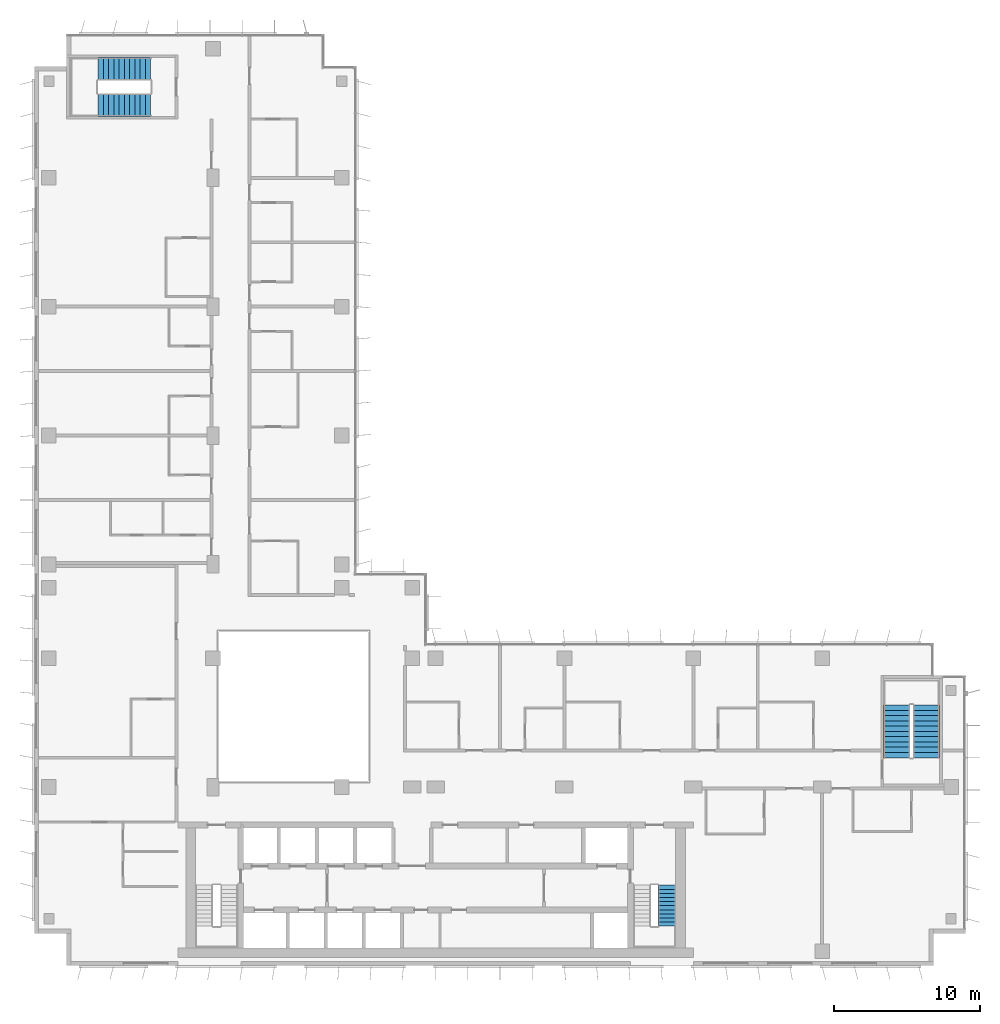
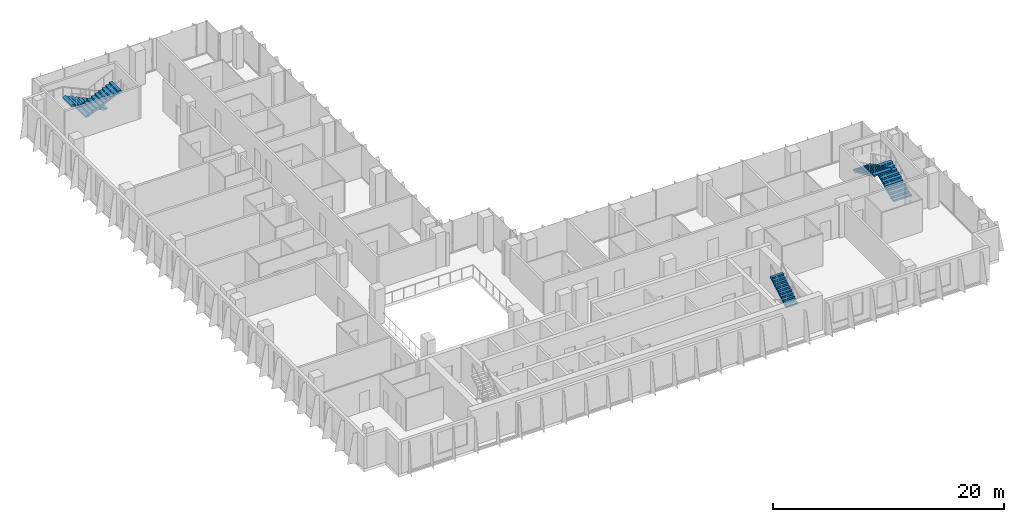
# One storey, part 18 of 21: 5 stair flights, 3 elements without a shape of their own.
"""IFC4 building model written with IfcOpenShell, lengths in metres."""

from ifc_helpers import new_model, si_unit, direction, frame, origin, place, context, subcontext, project, spatial, polyline, outline, extrude, material, type_object, element, aggregate, save


model = new_model("IFC4")

# Units and contexts
model_context = context("Model", 3, precision=1e-05, world=origin(), true_north=direction((0.0, 1.0)))
body_context = subcontext(model_context, "Body", "Model", "MODEL_VIEW")
ifc_project = project(units=[si_unit("LENGTHUNIT", "METRE"), si_unit("AREAUNIT", "SQUARE_METRE"), si_unit("VOLUMEUNIT", "CUBIC_METRE"), si_unit("PLANEANGLEUNIT", "RADIAN"), si_unit("MASSUNIT", "GRAM", prefix="KILO")], contexts=[model_context])

# Site, building, storey
site_placement = place(None, origin())
site = spatial("IfcSite", under=ifc_project, at=site_placement, CompositionType="ELEMENT")
building_placement = place(site_placement, origin())
building = spatial("IfcBuilding", under=site, at=building_placement, Name="Kemantara Hotel Tower", CompositionType="ELEMENT")
storey_placement = place(building_placement, frame((0.0, 0.0, 164.199951171875)))
storey = spatial("IfcBuildingStorey", under=building, at=storey_placement, Name="L40", CompositionType="ELEMENT", Elevation=164.199951171875)

# Stair, stair flight
ifc_material = material(Name="Concrete fc 40 MPa", Category="concrete")
stair_type_1 = type_object("IfcStairType", Name="Stair 1200 wide 22 risers of 168 x 280 mm", PredefinedType="HALF_TURN_STAIR", material=ifc_material)
stair_1_placement = place(storey_placement, origin())
stair_1 = element("IfcStair", 1, at=stair_1_placement, inside=storey, type_object=stair_type_1, Name="L40 Exit stair ST2", PredefinedType="HALF_TURN_STAIR")
stair_flight_type_1 = type_object("IfcStairFlightType", Name="Stair flight 1200 wide 168 x 280 mm", PredefinedType="STRAIGHT", material=ifc_material)
stair_flight_1_placement = place(storey_placement, frame((43.199951171875, 2.699951171875, 1.85009765625), z_axis=(0.0, 0.0, 1.0), x_axis=(0.0, 1.0, 0.0)))
stair_flight_1 = element("IfcStairFlight", 2, at=stair_flight_1_placement, type_object=stair_flight_type_1, Name="ST2 flight 2", NumberOfRisers=11, NumberOfTreads=10, PredefinedType="STRAIGHT", RiserHeight=0.168181818, TreadLength=0.28, context=body_context, shape_type="SweptSolid", body=[
    extrude(outline(polyline([(0.0, 0.0), (0.0, 0.168212890625), (0.280029296875, 0.168212890625), (0.280029296875, 0.33642578125), (0.56005859375, 0.33642578125), (0.56005859375, 0.504638671875), (0.840087890625, 0.504638671875), (0.840087890625, 0.672607421875), (1.1201171875, 0.672607421875), (1.1201171875, 0.8408203125), (1.39990234375, 0.8408203125), (1.39990234375, 1.009033203125), (1.679931640625, 1.009033203125), (1.679931640625, 1.17724609375), (1.9599609375, 1.17724609375), (1.9599609375, 1.345458984375), (2.239990234375, 1.345458984375), (2.239990234375, 1.513671875), (2.52001953125, 1.513671875), (2.52001953125, 1.681884765625), (2.800048828125, 1.681884765625), (2.800048828125, 1.85009765625), (2.800048828125, 1.5068359375), (0.291015625, 0.0), (0.0, 0.0)])), frame((0.0, 0.60009765625, 0.0), z_axis=(0.0, -1.0, 0.0), x_axis=(1.0, 0.0, 0.0)), (0.0, 0.0, 1.0), 1.199951171875),
])
aggregate(stair_1, [stair_flight_1])

# Stair, stair flights
stair_type_2 = type_object("IfcStairType", Name="Stair 1550 wide 22 risers of 168 x 360 mm", PredefinedType="HALF_TURN_STAIR", material=ifc_material)
stair_2_placement = place(storey_placement, origin())
stair_2 = element("IfcStair", 3, at=stair_2_placement, inside=storey, type_object=stair_type_2, Name="L40 Exit stair ST4", PredefinedType="HALF_TURN_STAIR")
stair_flight_type_2 = type_object("IfcStairFlightType", Name="Stair flight 1550 wide 168 x 360 mm", PredefinedType="STRAIGHT", material=ifc_material)
stair_flight_2_placement = place(storey_placement, frame((7.949951171875, 61.22509765625, 0.0), z_axis=(0.0, 0.0, 1.0), x_axis=(-1.0, 0.0, 0.0)))
stair_flight_2 = element("IfcStairFlight", 4, at=stair_flight_2_placement, type_object=stair_flight_type_2, Name="ST4 flight 1", NumberOfRisers=11, NumberOfTreads=10, PredefinedType="STRAIGHT", RiserHeight=0.168181818, TreadLength=0.36, context=body_context, shape_type="SweptSolid", body=[
    extrude(outline(polyline([(0.0, 0.0), (0.0, 0.168212890625), (0.360107421875, 0.168212890625), (0.360107421875, 0.33642578125), (0.719970703125, 0.33642578125), (0.719970703125, 0.504638671875), (1.080078125, 0.504638671875), (1.080078125, 0.672607421875), (1.43994140625, 0.672607421875), (1.43994140625, 0.8408203125), (1.800048828125, 0.8408203125), (1.800048828125, 1.009033203125), (2.159912109375, 1.009033203125), (2.159912109375, 1.17724609375), (2.52001953125, 1.17724609375), (2.52001953125, 1.345458984375), (2.8798828125, 1.345458984375), (2.8798828125, 1.513671875), (3.239990234375, 1.513671875), (3.239990234375, 1.681884765625), (3.60009765625, 1.681884765625), (3.60009765625, 1.85009765625), (3.60009765625, 1.516357421875), (0.354248046875, 0.0), (0.0, 0.0)])), frame((0.0, 0.77490234375, 0.0), z_axis=(0.0, -1.0, 0.0), x_axis=(1.0, 0.0, 0.0)), (0.0, 0.0, 1.0), 1.550048828125),
])
stair_flight_3_placement = place(storey_placement, frame((4.35009765625, 58.77490234375, 1.85009765625), z_axis=(0.0, 0.0, 1.0), x_axis=(1.0, 0.0, 0.0)))
stair_flight_3 = element("IfcStairFlight", 5, at=stair_flight_3_placement, type_object=stair_flight_type_2, Name="ST4 flight 2", NumberOfRisers=11, NumberOfTreads=10, PredefinedType="STRAIGHT", RiserHeight=0.168181818, TreadLength=0.36, context=body_context, shape_type="SweptSolid", body=[
    extrude(outline(polyline([(0.0, 0.0), (0.0, 0.168212890625), (0.360107421875, 0.168212890625), (0.360107421875, 0.33642578125), (0.719970703125, 0.33642578125), (0.719970703125, 0.504638671875), (1.080078125, 0.504638671875), (1.080078125, 0.672607421875), (1.43994140625, 0.672607421875), (1.43994140625, 0.8408203125), (1.800048828125, 0.8408203125), (1.800048828125, 1.009033203125), (2.159912109375, 1.009033203125), (2.159912109375, 1.17724609375), (2.52001953125, 1.17724609375), (2.52001953125, 1.345458984375), (2.8798828125, 1.345458984375), (2.8798828125, 1.513671875), (3.239990234375, 1.513671875), (3.239990234375, 1.681884765625), (3.60009765625, 1.681884765625), (3.60009765625, 1.85009765625), (3.60009765625, 1.516357421875), (0.354248046875, 0.0), (0.0, 0.0)])), frame((0.0, 0.77490234375, 0.0), z_axis=(0.0, -1.0, 0.0), x_axis=(1.0, 0.0, 0.0)), (0.0, 0.0, 1.0), 1.550048828125),
])
aggregate(stair_2, [stair_flight_2, stair_flight_3])

stair_type_3 = type_object("IfcStairType", Name="Stair 1800 wide 22 risers of 168 x 360 mm", PredefinedType="HALF_TURN_STAIR", material=ifc_material)
stair_3_placement = place(storey_placement, origin())
stair_3 = element("IfcStair", 6, at=stair_3_placement, inside=storey, type_object=stair_type_3, Name="L40 Exit stair ST3", PredefinedType="HALF_TURN_STAIR")
stair_flight_type_3 = type_object("IfcStairFlightType", Name="Stair flight 1800 wide 168 x 360 mm", PredefinedType="STRAIGHT", material=ifc_material)
stair_flight_4_placement = place(storey_placement, frame((60.89990234375, 14.199951171875, 0.0), z_axis=(0.0, 0.0, 1.0), x_axis=(0.0, 1.0, 0.0)))
stair_flight_4 = element("IfcStairFlight", 7, at=stair_flight_4_placement, type_object=stair_flight_type_3, Name="ST3 flight 1", NumberOfRisers=11, NumberOfTreads=10, PredefinedType="STRAIGHT", RiserHeight=0.168181818, TreadLength=0.36, context=body_context, shape_type="SweptSolid", body=[
    extrude(outline(polyline([(0.0, 0.0), (0.0, 0.168212890625), (0.360107421875, 0.168212890625), (0.360107421875, 0.33642578125), (0.719970703125, 0.33642578125), (0.719970703125, 0.504638671875), (1.080078125, 0.504638671875), (1.080078125, 0.672607421875), (1.43994140625, 0.672607421875), (1.43994140625, 0.8408203125), (1.800048828125, 0.8408203125), (1.800048828125, 1.009033203125), (2.159912109375, 1.009033203125), (2.159912109375, 1.17724609375), (2.52001953125, 1.17724609375), (2.52001953125, 1.345458984375), (2.8798828125, 1.345458984375), (2.8798828125, 1.513671875), (3.239990234375, 1.513671875), (3.239990234375, 1.681884765625), (3.60009765625, 1.681884765625), (3.60009765625, 1.85009765625), (3.60009765625, 1.516357421875), (0.354248046875, 0.0), (0.0, 0.0)])), frame((0.0, 0.89990234375, 0.0), z_axis=(0.0, -1.0, 0.0), x_axis=(1.0, 0.0, 0.0)), (0.0, 0.0, 1.0), 1.800048828125),
])
stair_flight_5_placement = place(storey_placement, frame((58.89990234375, 17.800048828125, 1.85009765625), z_axis=(0.0, 0.0, 1.0), x_axis=(0.0, -1.0, 0.0)))
stair_flight_5 = element("IfcStairFlight", 8, at=stair_flight_5_placement, type_object=stair_flight_type_3, Name="ST3 flight 2", NumberOfRisers=11, NumberOfTreads=10, PredefinedType="STRAIGHT", RiserHeight=0.168181818, TreadLength=0.36, context=body_context, shape_type="SweptSolid", body=[
    extrude(outline(polyline([(0.0, 0.0), (0.0, 0.168212890625), (0.360107421875, 0.168212890625), (0.360107421875, 0.33642578125), (0.719970703125, 0.33642578125), (0.719970703125, 0.504638671875), (1.080078125, 0.504638671875), (1.080078125, 0.672607421875), (1.43994140625, 0.672607421875), (1.43994140625, 0.8408203125), (1.800048828125, 0.8408203125), (1.800048828125, 1.009033203125), (2.159912109375, 1.009033203125), (2.159912109375, 1.17724609375), (2.52001953125, 1.17724609375), (2.52001953125, 1.345458984375), (2.8798828125, 1.345458984375), (2.8798828125, 1.513671875), (3.239990234375, 1.513671875), (3.239990234375, 1.681884765625), (3.60009765625, 1.681884765625), (3.60009765625, 1.85009765625), (3.60009765625, 1.516357421875), (0.354248046875, 0.0), (0.0, 0.0)])), frame((0.0, 0.89990234375, 0.0), z_axis=(0.0, -1.0, 0.0), x_axis=(1.0, 0.0, 0.0)), (0.0, 0.0, 1.0), 1.800048828125),
])
aggregate(stair_3, [stair_flight_4, stair_flight_5])

save(model, "model.ifc")
